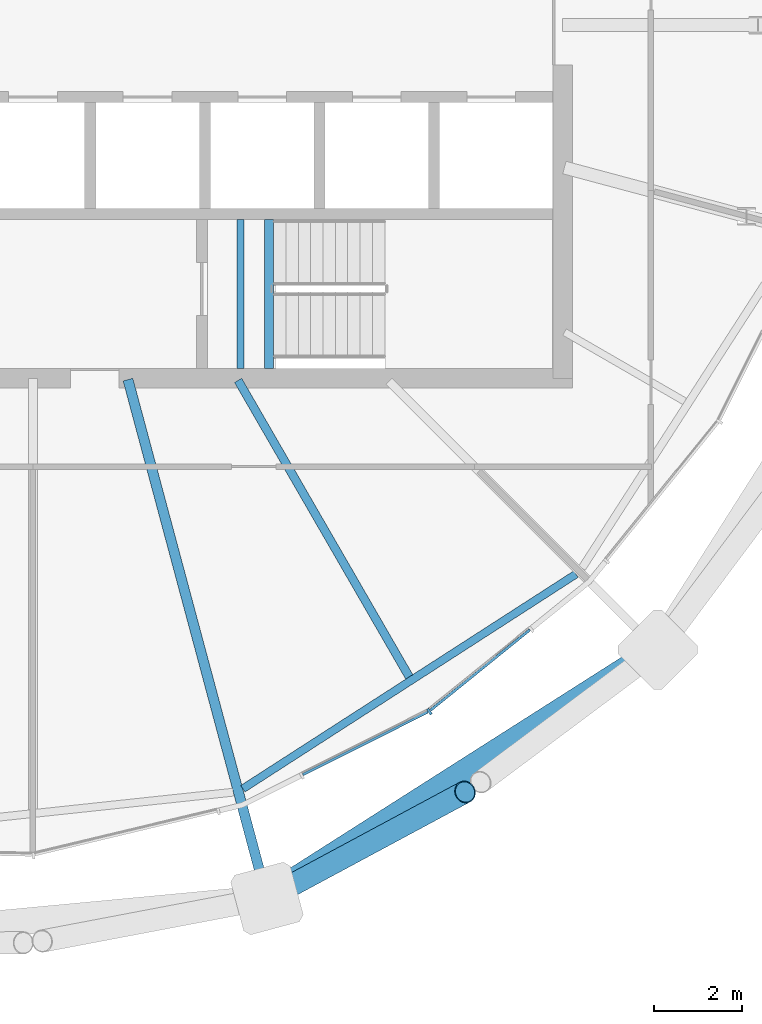
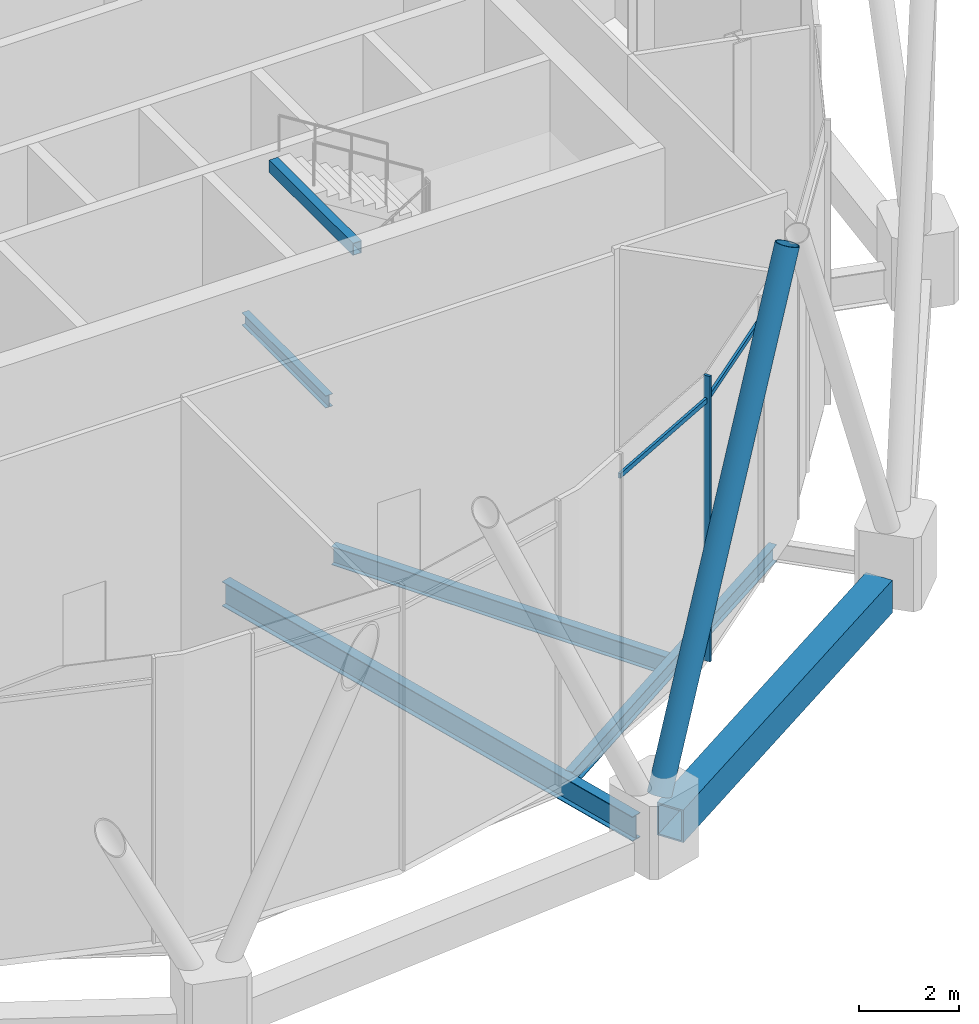
# One storey, part 10 of 28: 6 beams, 4 members, 1 element without a shape of its own.
"""IFC4 building model written with IfcOpenShell, lengths in metres."""

from ifc_helpers import new_model, si_unit, direction, frame, origin, origin_2d, place, context, subcontext, project, spatial, rectangle, hollow_rectangle, hollow_circle, i_section, extrude, material, material_profile, profile_set, type_object, element, aggregate, save


model = new_model("IFC4")

# Units and contexts
model_context = context("Model", 3, precision=1e-05, world=origin(), true_north=direction((0.0, 1.0)))
body_context = subcontext(model_context, "Body", "Model", "MODEL_VIEW")
ifc_project = project(units=[si_unit("LENGTHUNIT", "METRE"), si_unit("AREAUNIT", "SQUARE_METRE"), si_unit("VOLUMEUNIT", "CUBIC_METRE"), si_unit("PLANEANGLEUNIT", "RADIAN"), si_unit("MASSUNIT", "GRAM", prefix="KILO")], contexts=[model_context])

# Site, building, storey
site_placement = place(None, origin())
site = spatial("IfcSite", under=ifc_project, at=site_placement, CompositionType="ELEMENT")
building_placement = place(site_placement, origin())
building = spatial("IfcBuilding", under=site, at=building_placement, Name="Rimbun Link Towers", CompositionType="ELEMENT")
storey_placement = place(building_placement, frame((0.0, 0.0, 256.10009765625)))
storey = spatial("IfcBuildingStorey", under=building, at=storey_placement, Name="L63", CompositionType="ELEMENT", Elevation=256.10009765625)

# Curtain wall, members
ifc_material_1 = material(Name="Aluminium 6063-T6 and low-iron glass", Category="aluminium")
curtain_wall_type = type_object("IfcCurtainWallType", Name="CW5 full height lobby wall", PredefinedType="NOTDEFINED", material=ifc_material_1)
curtain_wall_placement = place(storey_placement, origin())
curtain_wall = element("IfcCurtainWall", 1, at=curtain_wall_placement, inside=storey, type_object=curtain_wall_type, Name="CW5 L63 T2", PredefinedType="NOTDEFINED")
ifc_material_2 = material(Name="Aluminium 6063-T6", Category="aluminium")
ifc_material_profile_1 = material_profile(ifc_material_2, rectangle(XDim=0.14990234375, YDim=0.06005859375, at=origin_2d()), Name="MULLION 60X150")
ifc_profile_set_1 = profile_set([ifc_material_profile_1], Name="Aluminium 6063-T6")
member_type_1 = type_object("IfcMemberType", Name="CW5 mullion 60X150", PredefinedType="MULLION", material=ifc_profile_set_1)
member_1_placement = place(storey_placement, frame((40.733642578125, -15.552978515625, 0.0), z_axis=(0.0, 0.0, 1.0), x_axis=(0.542095907354, -0.840316623202, 0.0)))
member_1 = element("IfcMember", 2, at=member_1_placement, type_object=member_type_1, Name="CW5 mullion", PredefinedType="MULLION", context=body_context, shape_type="SweptSolid", body=[
    extrude(rectangle(XDim=0.14990234375, YDim=0.06005859375, at=origin_2d()), origin(), (0.0, 0.0, 1.0), 7.0),
])
ifc_material_3 = material(Name="Aluminium 6063-T6", Category="aluminium")
ifc_material_profile_2 = material_profile(ifc_material_3, rectangle(XDim=0.06005859375, YDim=0.1201171875, at=origin_2d()), Name="TRANSOM 60X120")
ifc_profile_set_2 = profile_set([ifc_material_profile_2], Name="Aluminium 6063-T6")
member_type_2 = type_object("IfcMemberType", Name="CW5 transom 60X120", PredefinedType="USERDEFINED", material=ifc_profile_set_2)
member_2_placement = place(storey_placement, frame((40.694091796875, -15.558837890625, 6.39990234375), z_axis=(-0.893654938191, -0.448754778745, 0.0), x_axis=(0.448754778745, -0.893654938191, 0.0)))
member_2 = element("IfcMember", 3, at=member_2_placement, type_object=member_type_2, Name="CW5 transom", ObjectType="TRANSOM", PredefinedType="USERDEFINED", context=body_context, shape_type="SweptSolid", body=[
    extrude(rectangle(XDim=0.06005859375, YDim=0.1201171875, at=origin_2d()), origin(), (0.0, 0.0, 1.0), 3.166748046875),
])
member_3_placement = place(storey_placement, frame((43.005615234375, -13.697998046875, 6.39990234375), z_axis=(-0.777301821514, -0.629127871161, 0.0), x_axis=(0.629127871161, -0.777301821514, 0.0)))
member_3 = element("IfcMember", 4, at=member_3_placement, type_object=member_type_2, Name="CW5 transom", ObjectType="TRANSOM", PredefinedType="USERDEFINED", context=body_context, shape_type="SweptSolid", body=[
    extrude(rectangle(XDim=0.06005859375, YDim=0.1201171875, at=origin_2d()), origin(), (0.0, 0.0, 1.0), 2.89501953125),
])
aggregate(curtain_wall, [member_1, member_2, member_3])

# Member
ifc_material_4 = material(Name="Steel S355J2H", Category="steel")
ifc_material_profile_3 = material_profile(ifc_material_4, hollow_circle(Radius=0.25390625, WallThickness=0.02001953125, at=origin_2d()), Name="Diagrid diagonal CHS 508x20")
ifc_profile_set_3 = profile_set([ifc_material_profile_3], Name="Steel S355J2H")
member_type_3 = type_object("IfcMemberType", Name="Diagrid diagonal CHS 508x20", PredefinedType="BRACE", material=ifc_profile_set_3)
member_4_placement = place(storey_placement, frame((37.235595703125, -19.685546875, 0.453857421875), z_axis=(0.368901770359, 0.198275544432, 0.908073946497), x_axis=(-0.473426149575, 0.880833514859, 0.0)))
element("IfcMember", 5, at=member_4_placement, inside=storey, type_object=member_type_3, Name="Diagrid diagonal T2 L63-L65 16b", PredefinedType="BRACE", context=body_context, shape_type="SweptSolid", body=[
    extrude(hollow_circle(Radius=0.25390625, WallThickness=0.02001953125, at=origin_2d()), origin(), (0.0, 0.0, 1.0), 11.664306640625),
])

# Beams
ifc_material_5 = material(Name="Steel S355J2", Category="steel")
ifc_material_profile_4 = material_profile(ifc_material_5, hollow_rectangle(XDim=0.60009765625, YDim=0.800048828125, WallThickness=0.0400390625, at=origin_2d()), Name="Exoskeleton ring girder BOX 600x800x40")
ifc_profile_set_4 = profile_set([ifc_material_profile_4], Name="Steel S355J2")
beam_type_1 = type_object("IfcBeamType", Name="Exoskeleton ring girder BOX 600x800x40", PredefinedType="BEAM", material=ifc_profile_set_4)
beam_1_placement = place(storey_placement, frame((37.641845703125, -19.40869140625, -0.56005859375), z_axis=(0.843673651207, 0.536856377683, 0.0), x_axis=(-0.536856377683, 0.843673651207, 0.0)))
element("IfcBeam", 6, at=beam_1_placement, inside=storey, type_object=beam_type_1, Name="Exoskeleton ring girder L63 08", PredefinedType="BEAM", context=body_context, shape_type="SweptSolid", body=[
    extrude(hollow_rectangle(XDim=0.60009765625, YDim=0.800048828125, WallThickness=0.0400390625, at=origin_2d()), origin(), (0.0, 0.0, 1.0), 9.091064453125),
])
ifc_material_6 = material(Name="Steel S355J2", Category="steel")
ifc_material_profile_5 = material_profile(ifc_material_6, i_section(OverallWidth=0.1650390625, OverallDepth=0.303466796875, WebThickness=0.006103515625, FlangeThickness=0.01025390625, at=origin_2d()), Name="UB 305x165x40")
ifc_profile_set_5 = profile_set([ifc_material_profile_5], Name="Steel S355J2")
beam_type_2 = type_object("IfcBeamType", Name="Stair landing beam UB 305x165x40", PredefinedType="BEAM", material=ifc_profile_set_5)
beam_2_placement = place(storey_placement, frame((36.449951171875, -7.77490234375, 3.148193359375), z_axis=(0.0, 1.0, 0.0), x_axis=(-1.0, 0.0, 0.0)))
element("IfcBeam", 7, at=beam_2_placement, inside=storey, type_object=beam_type_2, Name="L63 ST4 stair beam 1", PredefinedType="BEAM", context=body_context, shape_type="SweptSolid", body=[
    extrude(i_section(OverallWidth=0.1650390625, OverallDepth=0.303466796875, WebThickness=0.006103515625, FlangeThickness=0.01025390625, at=origin_2d()), origin(), (0.0, 0.0, 1.0), 3.375),
])
ifc_material_7 = material(Name="Steel S355J2", Category="steel")
ifc_material_profile_6 = material_profile(ifc_material_7, hollow_rectangle(XDim=0.199951171875, YDim=0.300048828125, WallThickness=0.011962890625, at=origin_2d()), Name="BOX 300x200x12")
ifc_profile_set_6 = profile_set([ifc_material_profile_6], Name="Steel S355J2")
beam_type_3 = type_object("IfcBeamType", Name="Stair trimmer beam BOX 300x200x12", PredefinedType="BEAM", material=ifc_profile_set_6)
beam_3_placement = place(storey_placement, frame((37.10009765625, -7.77490234375, 6.669921875), z_axis=(0.0, 1.0, 0.0), x_axis=(-1.0, 0.0, 0.0)))
element("IfcBeam", 8, at=beam_3_placement, inside=storey, type_object=beam_type_3, Name="L63 ST4 stair beam 2", PredefinedType="BEAM", context=body_context, shape_type="SweptSolid", body=[
    extrude(hollow_rectangle(XDim=0.199951171875, YDim=0.300048828125, WallThickness=0.011962890625, at=origin_2d()), origin(), (0.0, 0.0, 1.0), 3.375),
])
ifc_material_8 = material(Name="Steel S355J2", Category="steel")
ifc_material_profile_7 = material_profile(ifc_material_8, i_section(OverallWidth=0.177978515625, OverallDepth=0.406494140625, WebThickness=0.0078125, FlangeThickness=0.0126953125, at=origin_2d()), Name="UB 406x178x60")
ifc_profile_set_7 = profile_set([ifc_material_profile_7], Name="Steel S355J2")
beam_type_4 = type_object("IfcBeamType", Name="UB 406x178x60", PredefinedType="BEAM", material=ifc_profile_set_7)
beam_4_placement = place(storey_placement, frame((36.504150390625, -17.29931640625, -0.38330078125), z_axis=(0.840621386883, 0.541623193664, 0.0), x_axis=(-0.541623193664, 0.840621386883, 0.0)))
element("IfcBeam", 9, at=beam_4_placement, inside=storey, type_object=beam_type_4, Name="Edge beam T2 L63 16-18", PredefinedType="BEAM", context=body_context, shape_type="SweptSolid", body=[
    extrude(i_section(OverallWidth=0.177978515625, OverallDepth=0.406494140625, WebThickness=0.0078125, FlangeThickness=0.0126953125, at=origin_2d()), origin(), (0.0, 0.0, 1.0), 8.977783203125),
])
ifc_material_9 = material(Name="Steel S355J2", Category="steel")
ifc_material_profile_8 = material_profile(ifc_material_9, i_section(OverallWidth=0.18994140625, OverallDepth=0.453369140625, WebThickness=0.008544921875, FlangeThickness=0.0126953125, at=origin_2d()), Name="UB 457x191x67")
ifc_profile_set_8 = profile_set([ifc_material_profile_8], Name="Steel S355J2")
beam_type_5 = type_object("IfcBeamType", Name="UB 457x191x67", PredefinedType="BEAM", material=ifc_profile_set_8)
beam_5_placement = place(storey_placement, frame((36.396728515625, -8.04833984375, -0.40673828125), z_axis=(0.499985914114, -0.866033536122, 0.0), x_axis=(0.866033536122, 0.499985914114, 0.0)))
element("IfcBeam", 10, at=beam_5_placement, inside=storey, type_object=beam_type_5, Name="Radial beam T2 L63 17", PredefinedType="BEAM", context=body_context, shape_type="SweptSolid", body=[
    extrude(i_section(OverallWidth=0.18994140625, OverallDepth=0.453369140625, WebThickness=0.008544921875, FlangeThickness=0.0126953125, at=origin_2d()), origin(), (0.0, 0.0, 1.0), 7.754150390625),
])
ifc_material_10 = material(Name="Steel S355J2", Category="steel")
ifc_material_profile_9 = material_profile(ifc_material_10, i_section(OverallWidth=0.2275390625, OverallDepth=0.6025390625, WebThickness=0.010498046875, FlangeThickness=0.014892578125, at=origin_2d()), Name="UB 610x229x101")
ifc_profile_set_9 = profile_set([ifc_material_profile_9], Name="Steel S355J2")
beam_type_6 = type_object("IfcBeamType", Name="UB 610x229x101", PredefinedType="BEAM", material=ifc_profile_set_9)
beam_6_placement = place(storey_placement, frame((33.90185546875, -8.030517578125, -0.4814453125), z_axis=(0.258816264917, -0.965926571233, 0.0), x_axis=(0.965926571233, 0.258816264917, 0.0)))
element("IfcBeam", 11, at=beam_6_placement, inside=storey, type_object=beam_type_6, Name="Radial beam T2 L63 16", PredefinedType="BEAM", context=body_context, shape_type="SweptSolid", body=[
    extrude(i_section(OverallWidth=0.2275390625, OverallDepth=0.6025390625, WebThickness=0.010498046875, FlangeThickness=0.014892578125, at=origin_2d()), origin(), (0.0, 0.0, 1.0), 11.668701171875),
])

save(model, "model.ifc")
